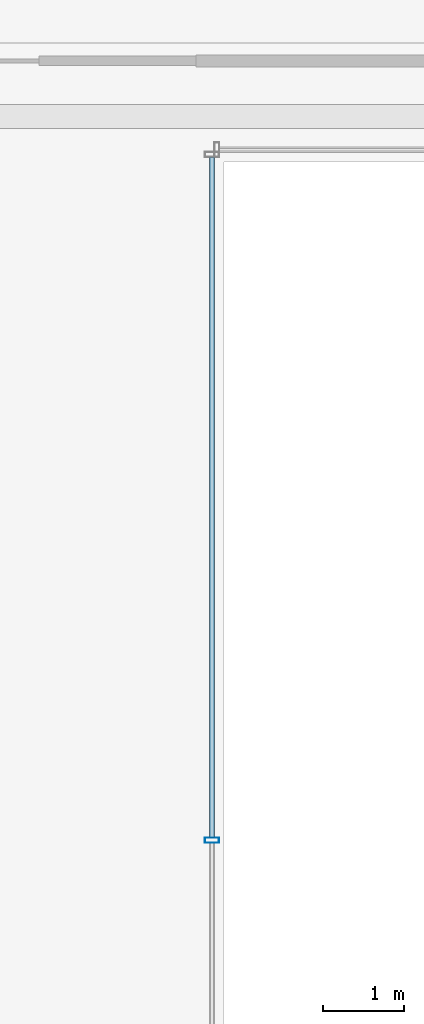
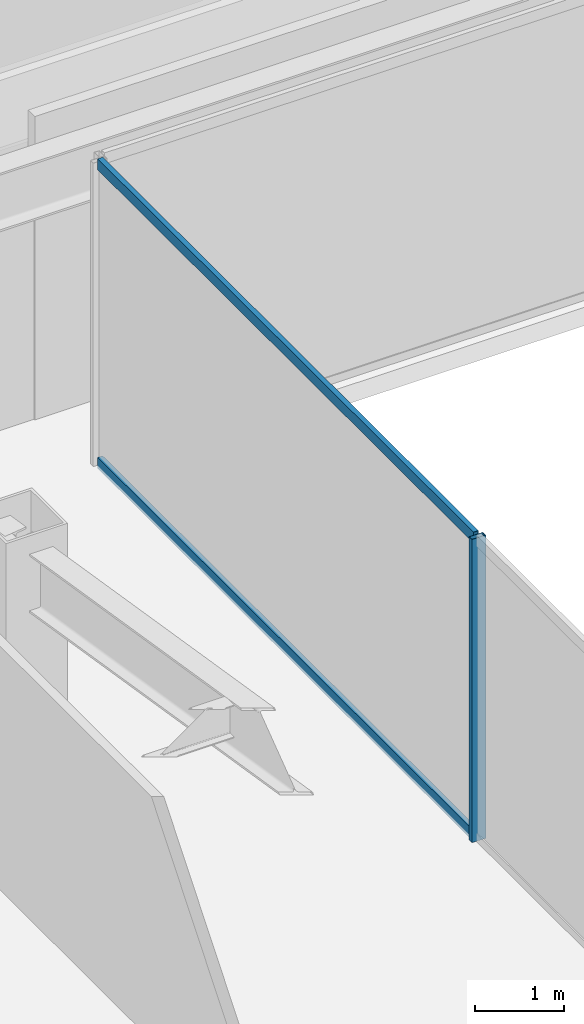
# One storey, part 14 of 49: 3 members, 1 element without a shape of its own.
"""IFC4 building model written with IfcOpenShell, lengths in metres."""

from ifc_helpers import new_model, si_unit, direction, frame, origin, origin_2d, place, context, subcontext, project, spatial, hollow_rectangle, extrude, material, material_profile, profile_set, type_object, element, aggregate, save


model = new_model("IFC4")

# Units and contexts
model_context = context("Model", 3, precision=1e-05, world=origin(), true_north=direction((0.0, 1.0)))
body_context = subcontext(model_context, "Body", "Model", "MODEL_VIEW")
ifc_project = project(units=[si_unit("LENGTHUNIT", "METRE"), si_unit("AREAUNIT", "SQUARE_METRE"), si_unit("VOLUMEUNIT", "CUBIC_METRE"), si_unit("PLANEANGLEUNIT", "RADIAN"), si_unit("MASSUNIT", "GRAM", prefix="KILO")], contexts=[model_context])

# Site, building, storey
site_placement = place(None, origin())
site = spatial("IfcSite", under=ifc_project, at=site_placement, CompositionType="ELEMENT")
building_placement = place(site_placement, origin())
building = spatial("IfcBuilding", under=site, at=building_placement, Name="Saevonmaru Cultural Tower", CompositionType="ELEMENT")
storey_placement = place(building_placement, frame((0.0, 0.0, 73.60009765625)))
storey = spatial("IfcBuildingStorey", under=building, at=storey_placement, Name="L15", CompositionType="ELEMENT", Elevation=73.60009765625)

# Curtain wall, members
ifc_material = material(Name="Satin Bronze Anodised Aluminium", Category="aluminium")
curtain_wall_type = type_object("IfcCurtainWallType", Name="CW-ATR-GLZ", PredefinedType="NOTDEFINED", material=ifc_material)
curtain_wall_placement = place(storey_placement, origin())
curtain_wall = element("IfcCurtainWall", 1, at=curtain_wall_placement, inside=storey, type_object=curtain_wall_type, Name="L15 Vertical Atrium Glazed Smoke Screen 4", PredefinedType="NOTDEFINED")
ifc_material_profile_1 = material_profile(ifc_material, hollow_rectangle(XDim=0.06494140625, YDim=0.179931640625, WallThickness=0.00390625, at=origin_2d()), Name="ALU-MULL-180x65x4")
ifc_profile_set_1 = profile_set([ifc_material_profile_1], Name="Satin Bronze Anodised Aluminium")
member_type_1 = type_object("IfcMemberType", Name="ML-CW-INT-180x65", PredefinedType="MULLION", material=ifc_profile_set_1)
member_1_placement = place(storey_placement, frame((24.050048828125, 29.39990234375, 0.0), z_axis=(0.0, 0.0, 1.0), x_axis=(0.0, -1.0, 0.0)))
member_1 = element("IfcMember", 2, at=member_1_placement, type_object=member_type_1, Name="CW-ATR-L15-4 mullion 2", PredefinedType="MULLION", context=body_context, shape_type="SweptSolid", body=[
    extrude(hollow_rectangle(XDim=0.06494140625, YDim=0.179931640625, WallThickness=0.00390625, at=origin_2d()), origin(), (0.0, 0.0, 1.0), 4.14990234375),
])
ifc_material_profile_2 = material_profile(ifc_material, hollow_rectangle(XDim=0.06494140625, YDim=0.14990234375, WallThickness=0.00390625, at=origin_2d()), Name="ALU-TRAN-150x65x4")
ifc_profile_set_2 = profile_set([ifc_material_profile_2], Name="Satin Bronze Anodised Aluminium")
member_type_2 = type_object("IfcMemberType", Name="TR-CW-INT-150x65", PredefinedType="USERDEFINED", material=ifc_profile_set_2)
member_2_placement = place(storey_placement, frame((24.050048828125, 37.857421875, 0.032470703125), z_axis=(0.0, -1.0, 0.0), x_axis=(1.0, 0.0, 0.0)))
member_2 = element("IfcMember", 3, at=member_2_placement, type_object=member_type_2, Name="CW-ATR-L15-4 transom 1.1", ObjectType="TRANSOM", PredefinedType="USERDEFINED", context=body_context, shape_type="SweptSolid", body=[
    extrude(hollow_rectangle(XDim=0.06494140625, YDim=0.14990234375, WallThickness=0.00390625, at=origin_2d()), origin(), (0.0, 0.0, 1.0), 8.4248046875),
])
member_3_placement = place(storey_placement, frame((24.050048828125, 37.857421875, 4.117431640625), z_axis=(0.0, -1.0, 0.0), x_axis=(1.0, 0.0, 0.0)))
member_3 = element("IfcMember", 4, at=member_3_placement, type_object=member_type_2, Name="CW-ATR-L15-4 transom 1.2", ObjectType="TRANSOM", PredefinedType="USERDEFINED", context=body_context, shape_type="SweptSolid", body=[
    extrude(hollow_rectangle(XDim=0.06494140625, YDim=0.14990234375, WallThickness=0.00390625, at=origin_2d()), origin(), (0.0, 0.0, 1.0), 8.4248046875),
])
aggregate(curtain_wall, [member_1, member_2, member_3])

save(model, "model.ifc")
